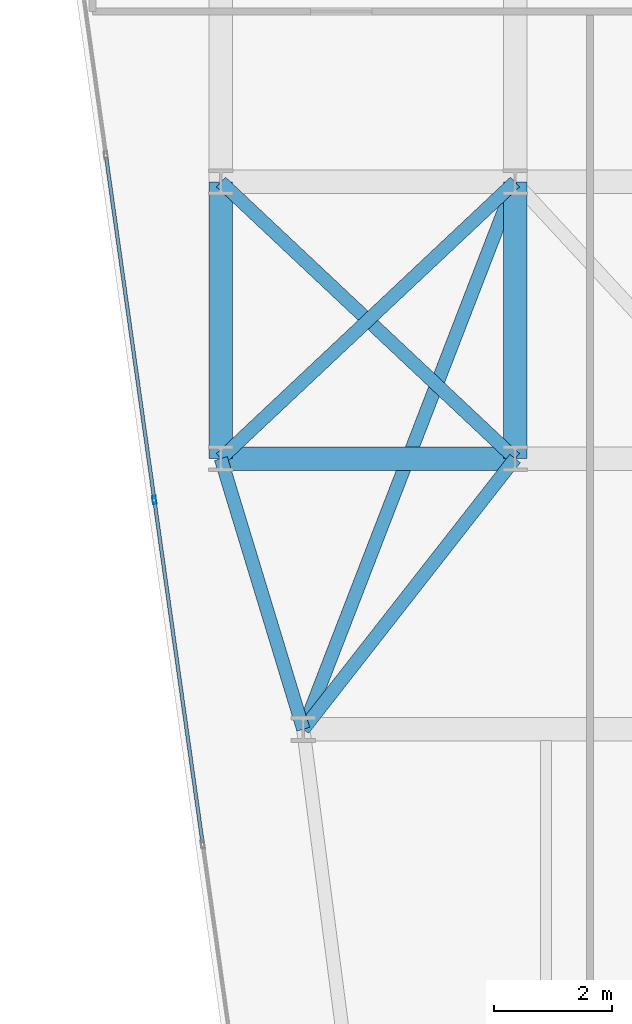
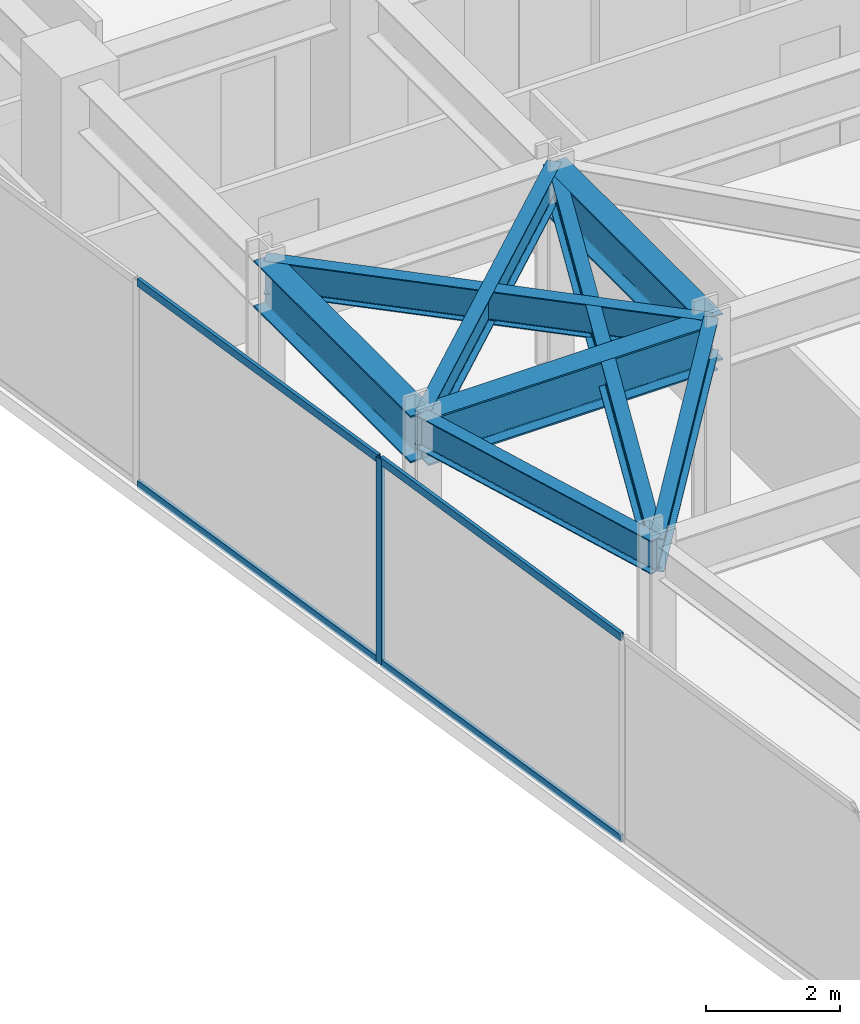
# One storey, part 9 of 26: 8 beams, 5 members, 1 element without a shape of its own.
"""IFC4 building model written with IfcOpenShell, lengths in metres."""

from ifc_helpers import new_model, si_unit, direction, frame, origin, origin_2d, place, context, subcontext, project, spatial, hollow_rectangle, i_section, extrude, material, layer, layer_set, material_profile, profile_set, type_object, element, aggregate, save


model = new_model("IFC4")

# Units and contexts
model_context = context("Model", 3, precision=1e-05, world=origin(), true_north=direction((0.0, 1.0)))
body_context = subcontext(model_context, "Body", "Model", "MODEL_VIEW")
ifc_project = project(units=[si_unit("LENGTHUNIT", "METRE"), si_unit("AREAUNIT", "SQUARE_METRE"), si_unit("VOLUMEUNIT", "CUBIC_METRE"), si_unit("PLANEANGLEUNIT", "RADIAN"), si_unit("MASSUNIT", "GRAM", prefix="KILO")], contexts=[model_context])

# Site, building, storey
site_placement = place(None, origin())
site = spatial("IfcSite", under=ifc_project, at=site_placement, CompositionType="ELEMENT")
building_placement = place(site_placement, origin())
building = spatial("IfcBuilding", under=site, at=building_placement, Name="Kravanh Interchange Tower", CompositionType="ELEMENT")
storey_placement = place(building_placement, frame((0.0, 0.0, 128.0)))
storey = spatial("IfcBuildingStorey", under=building, at=storey_placement, Name="L30", CompositionType="ELEMENT", Elevation=128.0)

# Curtain wall, members
ifc_material_1 = material(Name="Anodised Bronze Aluminium", Category="aluminium")
ifc_layer = layer(ifc_material_1, 0.179931640625)
ifc_layer_set = layer_set([ifc_layer], Name="Unitised Curtain Wall System CW-Z2 Mid Office")
curtain_wall_type = type_object("IfcCurtainWallType", Name="Unitised Curtain Wall System CW-Z2 Mid Office", PredefinedType="NOTDEFINED", material=ifc_layer_set)
curtain_wall_placement = place(storey_placement, origin())
curtain_wall = element("IfcCurtainWall", 1, at=curtain_wall_placement, inside=storey, type_object=curtain_wall_type, Name="L30 Unitised Curtain Wall CW-L30-01", PredefinedType="NOTDEFINED")
ifc_material_2 = material(Name="Anodised Bronze Aluminium", Category="aluminium")
ifc_material_profile_1 = material_profile(ifc_material_2, hollow_rectangle(XDim=0.06005859375, YDim=0.139892578125, WallThickness=0.00390625, at=origin_2d()), Name="ALU60X140X4")
ifc_profile_set_1 = profile_set([ifc_material_profile_1], Name="Anodised Bronze Aluminium")
member_type_1 = type_object("IfcMemberType", Name="Curtain Wall Mullion ALU60X140X4 Bronze", PredefinedType="MULLION", material=ifc_profile_set_1)
member_1_placement = place(storey_placement, frame((12.469970703125, 26.095458984375, 0.0), z_axis=(0.0, 0.0, 1.0), x_axis=(-0.990268103846, -0.13917285118, 0.0)))
member_1 = element("IfcMember", 2, at=member_1_placement, type_object=member_type_1, Name="CW-Z2 mullion 4", PredefinedType="MULLION", context=body_context, shape_type="SweptSolid", body=[
    extrude(hollow_rectangle(XDim=0.06005859375, YDim=0.139892578125, WallThickness=0.00390625, at=origin_2d()), origin(), (0.0, 0.0, 1.0), 3.75),
])
ifc_material_3 = material(Name="Anodised Bronze Aluminium", Category="aluminium")
ifc_material_profile_2 = material_profile(ifc_material_3, hollow_rectangle(XDim=0.06005859375, YDim=0.139892578125, WallThickness=0.00390625, at=origin_2d()), Name="ALU60X140X4")
ifc_profile_set_2 = profile_set([ifc_material_profile_2], Name="Anodised Bronze Aluminium")
member_type_2 = type_object("IfcMemberType", Name="Curtain Wall Transom ALU60X140X4 Bronze", PredefinedType="USERDEFINED", material=ifc_profile_set_2)
member_2_placement = place(storey_placement, frame((13.288330078125, 20.27294921875, 0.030029296875), z_axis=(-0.13918896503, 0.990265839062, 0.0), x_axis=(-0.990265839062, -0.13918896503, 0.0)))
member_2 = element("IfcMember", 3, at=member_2_placement, type_object=member_type_2, Name="CW-Z2 transom 3.1", ObjectType="TRANSOM", PredefinedType="USERDEFINED", context=body_context, shape_type="SweptSolid", body=[
    extrude(hollow_rectangle(XDim=0.06005859375, YDim=0.139892578125, WallThickness=0.00390625, at=origin_2d()), origin(), (0.0, 0.0, 1.0), 5.849609375),
])
member_3_placement = place(storey_placement, frame((13.288330078125, 20.27294921875, 3.719970703125), z_axis=(-0.13918896503, 0.990265839062, 0.0), x_axis=(-0.990265839062, -0.13918896503, 0.0)))
member_3 = element("IfcMember", 4, at=member_3_placement, type_object=member_type_2, Name="CW-Z2 transom 3.2", ObjectType="TRANSOM", PredefinedType="USERDEFINED", context=body_context, shape_type="SweptSolid", body=[
    extrude(hollow_rectangle(XDim=0.06005859375, YDim=0.139892578125, WallThickness=0.00390625, at=origin_2d()), origin(), (0.0, 0.0, 1.0), 5.849609375),
])
member_4_placement = place(storey_placement, frame((12.4658203125, 26.125244140625, 0.030029296875), z_axis=(-0.13918896503, 0.990265839062, 0.0), x_axis=(-0.990265839062, -0.13918896503, 0.0)))
member_4 = element("IfcMember", 5, at=member_4_placement, type_object=member_type_2, Name="CW-Z2 transom 4.1", ObjectType="TRANSOM", PredefinedType="USERDEFINED", context=body_context, shape_type="SweptSolid", body=[
    extrude(hollow_rectangle(XDim=0.06005859375, YDim=0.139892578125, WallThickness=0.00390625, at=origin_2d()), origin(), (0.0, 0.0, 1.0), 5.849609375),
])
member_5_placement = place(storey_placement, frame((12.4658203125, 26.125244140625, 3.719970703125), z_axis=(-0.13918896503, 0.990265839062, 0.0), x_axis=(-0.990265839062, -0.13918896503, 0.0)))
member_5 = element("IfcMember", 6, at=member_5_placement, type_object=member_type_2, Name="CW-Z2 transom 4.2", ObjectType="TRANSOM", PredefinedType="USERDEFINED", context=body_context, shape_type="SweptSolid", body=[
    extrude(hollow_rectangle(XDim=0.06005859375, YDim=0.139892578125, WallThickness=0.00390625, at=origin_2d()), origin(), (0.0, 0.0, 1.0), 5.849609375),
])
aggregate(curtain_wall, [member_1, member_2, member_3, member_4, member_5])

# Beams
ifc_material_4 = material(Name="Structural Steel S355", Category="steel")
ifc_material_profile_3 = material_profile(ifc_material_4, i_section(OverallWidth=0.39990234375, OverallDepth=0.85595703125, WebThickness=0.018310546875, FlangeThickness=0.029296875, FilletRadius=0.02490234375, at=origin_2d()), Name="W33X201")
ifc_profile_set_3 = profile_set([ifc_material_profile_3], Name="Structural Steel S355")
beam_type_1 = type_object("IfcBeamType", Name="Floor Beam W33X201 Structural Steel S355", PredefinedType="BEAM", material=ifc_profile_set_3)
beam_1_placement = place(storey_placement, frame((13.60009765625, 26.800048828125, 3.322021484375), z_axis=(0.0, 1.0, 0.0), x_axis=(-1.0, 0.0, 0.0)))
element("IfcBeam", 7, at=beam_1_placement, inside=storey, type_object=beam_type_1, Name="L30 Primary Floor Girder 37", PredefinedType="BEAM", context=body_context, shape_type="SweptSolid", body=[
    extrude(i_section(OverallWidth=0.39990234375, OverallDepth=0.85595703125, WebThickness=0.018310546875, FlangeThickness=0.029296875, FilletRadius=0.02490234375, at=origin_2d()), origin(), (0.0, 0.0, 1.0), 4.699951171875),
])
beam_2_placement = place(storey_placement, frame((13.60009765625, 26.800048828125, 3.322021484375), z_axis=(1.0, 0.0, 0.0), x_axis=(0.0, 1.0, 0.0)))
element("IfcBeam", 8, at=beam_2_placement, inside=storey, type_object=beam_type_1, Name="L30 Primary Floor Girder 39", PredefinedType="BEAM", context=body_context, shape_type="SweptSolid", body=[
    extrude(i_section(OverallWidth=0.39990234375, OverallDepth=0.85595703125, WebThickness=0.018310546875, FlangeThickness=0.029296875, FilletRadius=0.02490234375, at=origin_2d()), origin(), (0.0, 0.0, 1.0), 5.0),
])
beam_3_placement = place(storey_placement, frame((18.60009765625, 26.800048828125, 3.322021484375), z_axis=(0.0, 1.0, 0.0), x_axis=(-1.0, 0.0, 0.0)))
element("IfcBeam", 9, at=beam_3_placement, inside=storey, type_object=beam_type_1, Name="L30 Primary Floor Girder 41", PredefinedType="BEAM", context=body_context, shape_type="SweptSolid", body=[
    extrude(i_section(OverallWidth=0.39990234375, OverallDepth=0.85595703125, WebThickness=0.018310546875, FlangeThickness=0.029296875, FilletRadius=0.02490234375, at=origin_2d()), origin(), (0.0, 0.0, 1.0), 4.699951171875),
])
ifc_material_5 = material(Name="Structural Steel S355", Category="steel")
ifc_material_profile_4 = material_profile(ifc_material_5, i_section(OverallWidth=0.22802734375, OverallDepth=0.60791015625, WebThickness=0.01123046875, FlangeThickness=0.017333984375, FilletRadius=0.02197265625, at=origin_2d()), Name="W24X76")
ifc_profile_set_4 = profile_set([ifc_material_profile_4], Name="Structural Steel S355")
beam_type_2 = type_object("IfcBeamType", Name="Floor Spandrel W24X76 Structural Steel S355", PredefinedType="SPANDREL", material=ifc_profile_set_4)
beam_4_placement = place(storey_placement, frame((13.60009765625, 26.800048828125, 3.446044921875), z_axis=(0.291137370727, -0.956681259023, 0.0), x_axis=(0.956681259023, 0.291137370727, 0.0)))
element("IfcBeam", 10, at=beam_4_placement, inside=storey, type_object=beam_type_2, Name="L30 Perimeter Spandrel 38", PredefinedType="SPANDREL", context=body_context, shape_type="SweptSolid", body=[
    extrude(i_section(OverallWidth=0.22802734375, OverallDepth=0.60791015625, WebThickness=0.01123046875, FlangeThickness=0.017333984375, FilletRadius=0.02197265625, at=origin_2d()), origin(), (0.0, 0.0, 1.0), 4.808349609375),
])
beam_5_placement = place(storey_placement, frame((13.60009765625, 26.800048828125, 3.446044921875), z_axis=(0.728631219862, 0.684906231131, 0.0), x_axis=(-0.684906231131, 0.728631219862, 0.0)))
element("IfcBeam", 11, at=beam_5_placement, inside=storey, type_object=beam_type_2, Name="L30 Perimeter Spandrel 40", PredefinedType="SPANDREL", context=body_context, shape_type="SweptSolid", body=[
    extrude(i_section(OverallWidth=0.22802734375, OverallDepth=0.60791015625, WebThickness=0.01123046875, FlangeThickness=0.017333984375, FilletRadius=0.02197265625, at=origin_2d()), origin(), (0.0, 0.0, 1.0), 6.862060546875),
])
beam_6_placement = place(storey_placement, frame((18.60009765625, 26.800048828125, 3.446044921875), z_axis=(-0.616310515553, -0.787503237085, 0.0), x_axis=(0.787503237085, -0.616310515553, 0.0)))
element("IfcBeam", 12, at=beam_6_placement, inside=storey, type_object=beam_type_2, Name="L30 Perimeter Spandrel 42", PredefinedType="SPANDREL", context=body_context, shape_type="SweptSolid", body=[
    extrude(i_section(OverallWidth=0.22802734375, OverallDepth=0.60791015625, WebThickness=0.01123046875, FlangeThickness=0.017333984375, FilletRadius=0.02197265625, at=origin_2d()), origin(), (0.0, 0.0, 1.0), 5.84130859375),
])
beam_7_placement = place(storey_placement, frame((18.60009765625, 26.800048828125, 3.446044921875), z_axis=(-0.728631219862, 0.684906231131, 0.0), x_axis=(-0.684906231131, -0.728631219862, 0.0)))
element("IfcBeam", 13, at=beam_7_placement, inside=storey, type_object=beam_type_2, Name="L30 Perimeter Spandrel 43", PredefinedType="SPANDREL", context=body_context, shape_type="SweptSolid", body=[
    extrude(i_section(OverallWidth=0.22802734375, OverallDepth=0.60791015625, WebThickness=0.01123046875, FlangeThickness=0.017333984375, FilletRadius=0.02197265625, at=origin_2d()), origin(), (0.0, 0.0, 1.0), 6.862060546875),
])
beam_8_placement = place(storey_placement, frame((18.60009765625, 31.5, 3.446044921875), z_axis=(-0.3610009706, -0.932565439648, 0.0), x_axis=(0.932565439648, -0.3610009706, 0.0)))
element("IfcBeam", 14, at=beam_8_placement, inside=storey, type_object=beam_type_2, Name="L30 Perimeter Spandrel 72", PredefinedType="SPANDREL", context=body_context, shape_type="SweptSolid", body=[
    extrude(i_section(OverallWidth=0.22802734375, OverallDepth=0.60791015625, WebThickness=0.01123046875, FlangeThickness=0.017333984375, FilletRadius=0.02197265625, at=origin_2d()), origin(), (0.0, 0.0, 1.0), 9.97265625),
])

save(model, "model.ifc")
